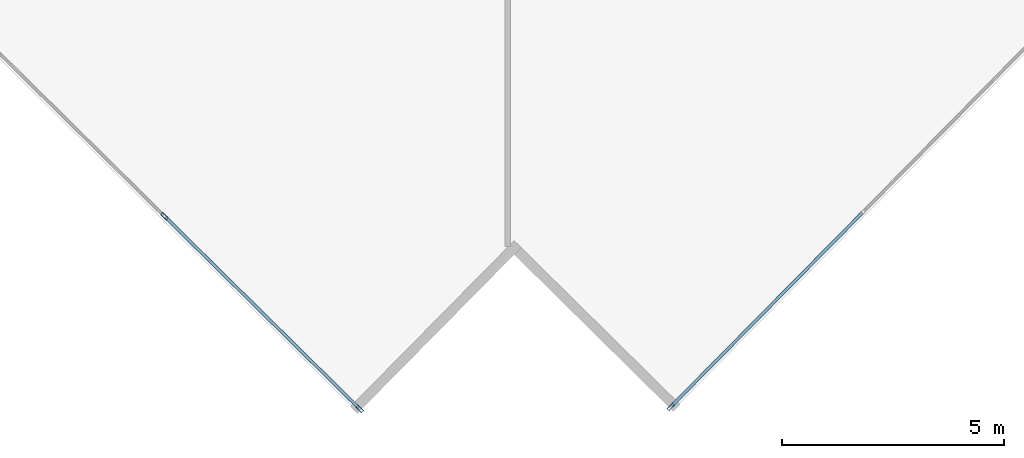
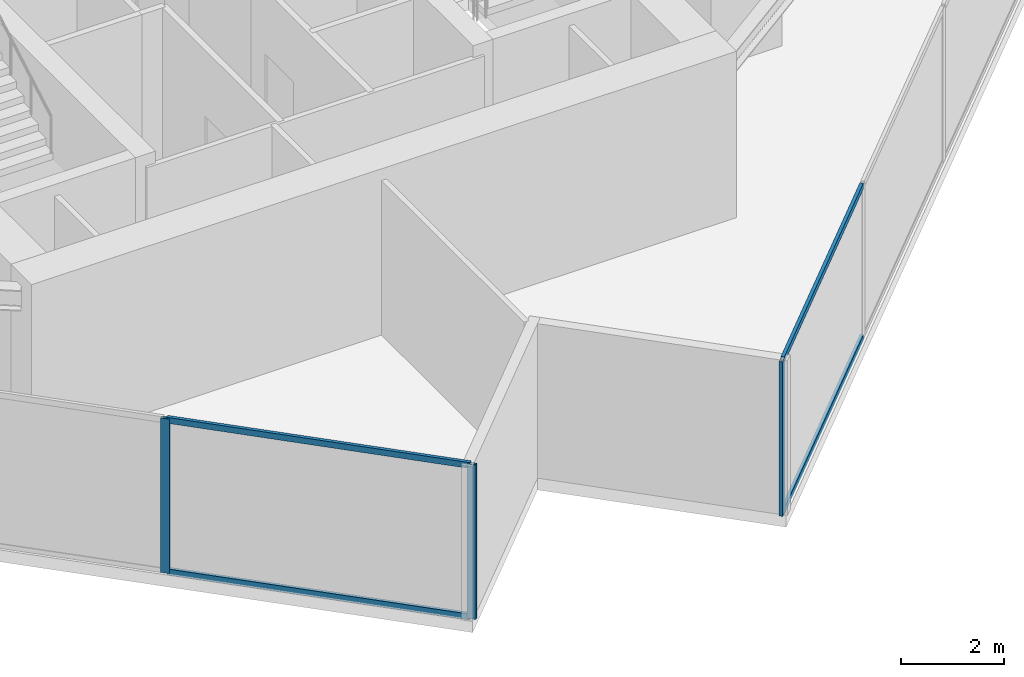
# One storey, part 3 of 24: 7 members, 2 elements without a shape of their own.
"""IFC4 building model written with IfcOpenShell, lengths in metres."""

from ifc_helpers import new_model, si_unit, direction, frame, origin, origin_2d, place, context, subcontext, project, spatial, hollow_rectangle, extrude, source, transform, mapped, material, material_profile, profile_set, type_object, type_shapes, element, aggregate, save


model = new_model("IFC4")

# Units and contexts
model_context = context("Model", 3, precision=1e-05, world=origin(), true_north=direction((0.0, 1.0)))
body_context = subcontext(model_context, "Body", "Model", "MODEL_VIEW")
ifc_project = project(units=[si_unit("LENGTHUNIT", "METRE"), si_unit("AREAUNIT", "SQUARE_METRE"), si_unit("VOLUMEUNIT", "CUBIC_METRE"), si_unit("PLANEANGLEUNIT", "RADIAN"), si_unit("MASSUNIT", "GRAM", prefix="KILO")], contexts=[model_context])

# Site, building, storey
site_placement = place(None, origin())
site = spatial("IfcSite", under=ifc_project, at=site_placement, CompositionType="ELEMENT")
building_placement = place(site_placement, origin())
building = spatial("IfcBuilding", under=site, at=building_placement, Name="Krantzveldt Concourse Tower", CompositionType="ELEMENT")
storey_placement = place(building_placement, frame((0.0, 0.0, 231.0)))
storey = spatial("IfcBuildingStorey", under=building, at=storey_placement, Name="L56", CompositionType="ELEMENT", Elevation=231.0)

# Curtain wall, members
ifc_material = material(Name="Anodised aluminium 6063-T6", Category="aluminium")
curtain_wall_type = type_object("IfcCurtainWallType", Name="CW3", PredefinedType="USERDEFINED", material=ifc_material)
curtain_wall_1_placement = place(storey_placement, origin())
curtain_wall_1 = element("IfcCurtainWall", 1, at=curtain_wall_1_placement, inside=storey, type_object=curtain_wall_type, Name="CW-L56-F04", ObjectType="UNITISED CURTAIN WALL", PredefinedType="USERDEFINED")
ifc_material_profile_1 = material_profile(ifc_material, hollow_rectangle(XDim=0.070068359375, YDim=0.179931640625, WallThickness=0.0048828125, at=origin_2d()), Name="Anodised aluminium 6063-T6", Category="aluminium")
ifc_profile_set_1 = profile_set([ifc_material_profile_1], Name="Anodised aluminium 6063-T6 - ALU-MULL 180x70x5")
member_type_1 = type_object("IfcMemberType", Name="CW-MUL-180", PredefinedType="MULLION", material=ifc_profile_set_1)
shared_shape_1 = source(origin(), body_context, "Body", "SweptSolid", [
    extrude(hollow_rectangle(XDim=0.070068359375, YDim=0.179931640625, WallThickness=0.0048828125, at=origin_2d()), origin(), (0.0, 0.0, 1.0), 3.669921875),
])
type_shapes(member_type_1, [shared_shape_1])
member_1_placement = place(storey_placement, frame((28.28173828125, 5.640869140625, 0.0), z_axis=(0.0, 0.0, 1.0), x_axis=(0.702463570854, 0.711719700179, 0.0)))
member_1 = element("IfcMember", 2, at=member_1_placement, type_object=member_type_1, Name="CW-Z34 mullion 5", PredefinedType="MULLION", context=body_context, shape_type="MappedRepresentation", body=[
    mapped(shared_shape_1, transform((0.0, 0.0, 0.0), x_axis=(1.0, 0.0, 0.0), y_axis=(0.0, 1.0, 0.0), z_axis=(0.0, 0.0, 1.0), scale=1.0)),
])
member_2_placement = place(storey_placement, frame((32.66943359375, 1.310302734375, 0.0), z_axis=(0.0, 0.0, 1.0), x_axis=(0.702463570854, 0.711719700179, 0.0)))
member_2 = element("IfcMember", 3, at=member_2_placement, type_object=member_type_1, Name="CW-Z34 mullion 6", PredefinedType="MULLION", context=body_context, shape_type="MappedRepresentation", body=[
    mapped(shared_shape_1, transform((0.0, 0.0, 0.0), x_axis=(1.0, 0.0, 0.0), y_axis=(0.0, 1.0, 0.0), z_axis=(0.0, 0.0, 1.0), scale=1.0)),
])

# Curtain wall, member
curtain_wall_2_placement = place(storey_placement, origin())
curtain_wall_2 = element("IfcCurtainWall", 4, at=curtain_wall_2_placement, inside=storey, type_object=curtain_wall_type, Name="CW-L56-F07", ObjectType="UNITISED CURTAIN WALL", PredefinedType="USERDEFINED")
member_3_placement = place(storey_placement, frame((39.66259765625, 1.35595703125, 0.0), z_axis=(0.0, 0.0, 1.0), x_axis=(-0.711719700179, 0.702463570854, 0.0)))
member_3 = element("IfcMember", 5, at=member_3_placement, type_object=member_type_1, Name="CW-Z34 mullion 1", PredefinedType="MULLION", context=body_context, shape_type="MappedRepresentation", body=[
    mapped(shared_shape_1, transform((0.0, 0.0, 0.0), x_axis=(1.0, 0.0, 0.0), y_axis=(0.0, 1.0, 0.0), z_axis=(0.0, 0.0, 1.0), scale=1.0)),
])

# Member
ifc_material_profile_2 = material_profile(ifc_material, hollow_rectangle(XDim=0.070068359375, YDim=0.139892578125, WallThickness=0.0048828125, at=origin_2d()), Name="Anodised aluminium 6063-T6", Category="aluminium")
ifc_profile_set_2 = profile_set([ifc_material_profile_2], Name="Anodised aluminium 6063-T6 - ALU-TRAN 140x70x5")
member_type_2 = type_object("IfcMemberType", Name="CW-TRN-150", PredefinedType="USERDEFINED", material=ifc_profile_set_2)
shared_shape_2 = source(origin(), body_context, "Body", "SweptSolid", [
    extrude(hollow_rectangle(XDim=0.070068359375, YDim=0.139892578125, WallThickness=0.0048828125, at=origin_2d()), origin(), (0.0, 0.0, 1.0), 6.094970703125),
])
type_shapes(member_type_2, [shared_shape_2])
member_4_placement = place(storey_placement, frame((28.306640625, 5.6162109375, 0.034912109375), z_axis=(0.711718134154, -0.702465157511, 0.0), x_axis=(0.702465157511, 0.711718134154, 0.0)))
member_4 = element("IfcMember", 6, at=member_4_placement, type_object=member_type_2, Name="CW-Z34 transom 5.1", ObjectType="TRANSOM", PredefinedType="USERDEFINED", context=body_context, shape_type="MappedRepresentation", body=[
    mapped(shared_shape_2, transform((0.0, 0.0, 0.0), x_axis=(1.0, 0.0, 0.0), y_axis=(0.0, 1.0, 0.0), z_axis=(0.0, 0.0, 1.0), scale=1.0)),
])

member_5_placement = place(storey_placement, frame((28.306640625, 5.6162109375, 3.635009765625), z_axis=(0.711718134154, -0.702465157511, 0.0), x_axis=(0.702465157511, 0.711718134154, 0.0)))
member_5 = element("IfcMember", 7, at=member_5_placement, type_object=member_type_2, Name="CW-Z34 transom 5.2", ObjectType="TRANSOM", PredefinedType="USERDEFINED", context=body_context, shape_type="MappedRepresentation", body=[
    mapped(shared_shape_2, transform((0.0, 0.0, 0.0), x_axis=(1.0, 0.0, 0.0), y_axis=(0.0, 1.0, 0.0), z_axis=(0.0, 0.0, 1.0), scale=1.0)),
])

aggregate(curtain_wall_1, [member_1, member_2, member_4, member_5])

member_6_placement = place(storey_placement, frame((39.687255859375, 1.380859375, 0.034912109375), z_axis=(0.702465157511, 0.711718134154, 0.0), x_axis=(-0.711718134154, 0.702465157511, 0.0)))
member_6 = element("IfcMember", 8, at=member_6_placement, type_object=member_type_2, Name="CW-Z34 transom 1.1", ObjectType="TRANSOM", PredefinedType="USERDEFINED", context=body_context, shape_type="MappedRepresentation", body=[
    mapped(shared_shape_2, transform((0.0, 0.0, 0.0), x_axis=(1.0, 0.0, 0.0), y_axis=(0.0, 1.0, 0.0), z_axis=(0.0, 0.0, 1.0), scale=1.0)),
])

member_7_placement = place(storey_placement, frame((39.687255859375, 1.380859375, 3.635009765625), z_axis=(0.702465157511, 0.711718134154, 0.0), x_axis=(-0.711718134154, 0.702465157511, 0.0)))
member_7 = element("IfcMember", 9, at=member_7_placement, type_object=member_type_2, Name="CW-Z34 transom 1.2", ObjectType="TRANSOM", PredefinedType="USERDEFINED", context=body_context, shape_type="MappedRepresentation", body=[
    mapped(shared_shape_2, transform((0.0, 0.0, 0.0), x_axis=(1.0, 0.0, 0.0), y_axis=(0.0, 1.0, 0.0), z_axis=(0.0, 0.0, 1.0), scale=1.0)),
])

aggregate(curtain_wall_2, [member_3, member_6, member_7])

save(model, "model.ifc")
